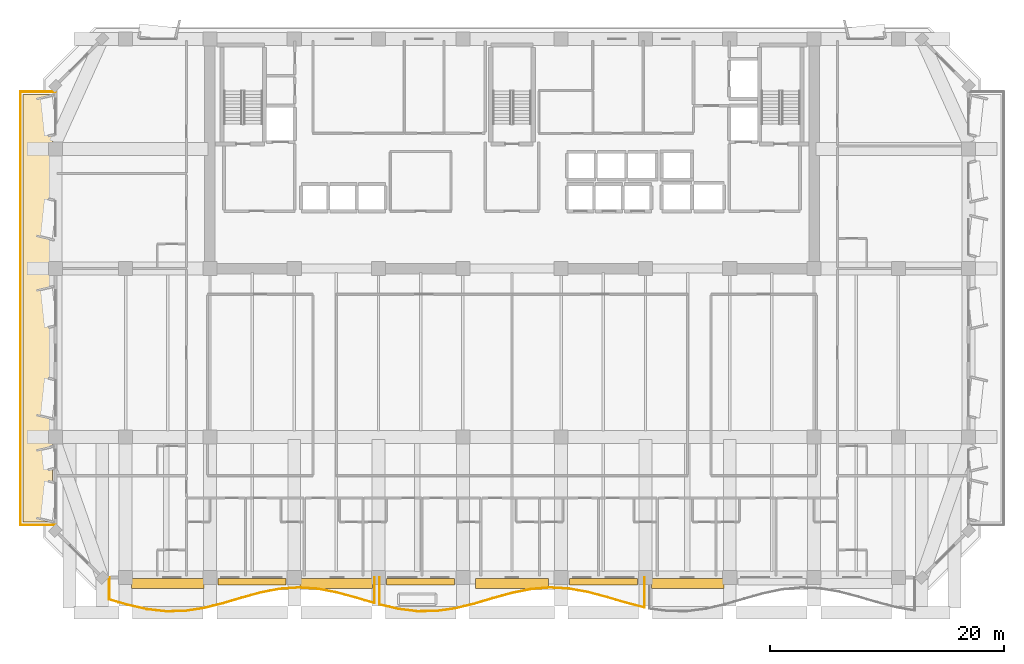
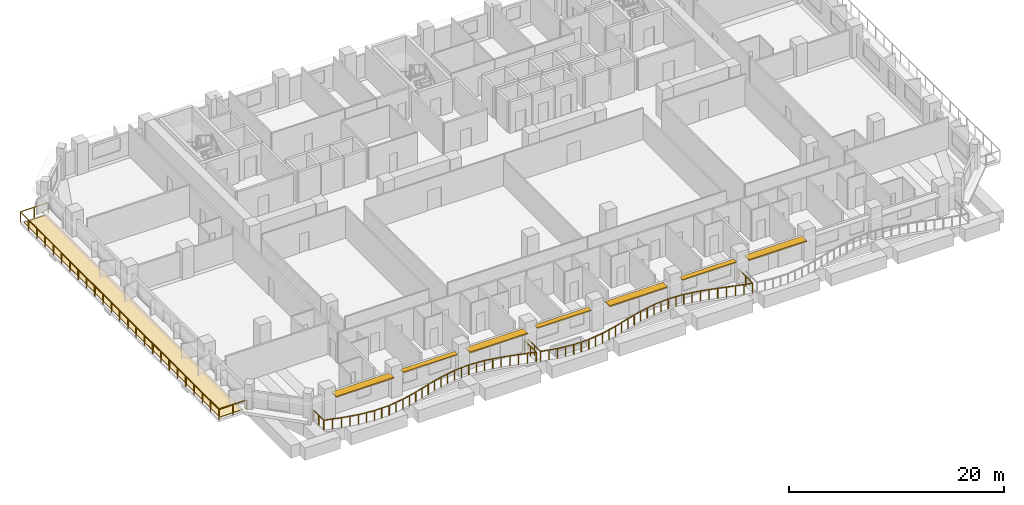
# One storey, part 12 of 16: 7 shading devices, 3 railings, 1 covering.
"""IFC4 building model written with IfcOpenShell, lengths in metres."""

from ifc_helpers import new_model, si_unit, direction, frame, origin, origin_2d, place, context, subcontext, project, spatial, polyline, rectangle, outline, extrude, material, layer, layer_set, type_object, element, save


model = new_model("IFC4")

# Units and contexts
model_context = context("Model", 3, precision=1e-05, world=origin(), true_north=direction((0.0, 1.0)))
body_context = subcontext(model_context, "Body", "Model", "MODEL_VIEW")
ifc_project = project(units=[si_unit("LENGTHUNIT", "METRE"), si_unit("AREAUNIT", "SQUARE_METRE"), si_unit("VOLUMEUNIT", "CUBIC_METRE"), si_unit("PLANEANGLEUNIT", "RADIAN"), si_unit("MASSUNIT", "GRAM", prefix="KILO")], contexts=[model_context])

# Site, building, storey
site_placement = place(None, origin())
site = spatial("IfcSite", under=ifc_project, at=site_placement, CompositionType="ELEMENT")
building_placement = place(site_placement, origin())
building = spatial("IfcBuilding", under=site, at=building_placement, Name="Kaelvorn Grand Hotel", CompositionType="ELEMENT")
storey_placement = place(building_placement, frame((0.0, 0.0, 135.35009765625)))
storey = spatial("IfcBuildingStorey", under=building, at=storey_placement, Name="L32", CompositionType="ELEMENT", Elevation=135.35009765625)

# Covering
ifc_material_1 = material(Name="Insulated Elastomeric Waterproofing Roof Membrane")
ifc_layer_1 = layer(ifc_material_1, 0.1201171875)
ifc_layer_set_1 = layer_set([ifc_layer_1], Name="Insulated Elastomeric Waterproofing Roof Membrane")
covering_type = type_object("IfcCoveringType", Name="COV-ROOF-MEMBRANE-120", PredefinedType="ROOFING", material=ifc_layer_set_1)
covering_placement = place(storey_placement, origin())
element("IfcCovering", 1, at=covering_placement, inside=storey, type_object=covering_type, Name="L32 Setback Terrace Waterproofing Membrane W", PredefinedType="ROOFING", context=body_context, shape_type="SweptSolid", body=[
    extrude(outline(polyline([(0.25, 7.75), (2.75, 7.75), (2.75, 44.25), (0.25, 44.25), (0.25, 7.75)])), origin(), (0.0, 0.0, 1.0), 0.059814453125),
])

# Railings
ifc_material_2 = material(Name="Stainless Steel", Category="steel")
railing_type_1 = type_object("IfcRailingType", Name="RL-BALC-1150", PredefinedType="BALUSTRADE", material=ifc_material_2)
railing_1_placement = place(storey_placement, frame((7.60009765625, 3.0, 0.0)))
element("IfcRailing", 2, at=railing_1_placement, inside=storey, type_object=railing_type_1, Name="L32 Scalloped Wave Balcony Balustrade GR1-1", PredefinedType="BALUSTRADE", context=body_context, shape_type="SweptSolid", body=[
    extrude(rectangle(XDim=0.048095703125, YDim=0.048095703125, at=origin_2d()), frame((0.0, 0.0, 1.1259765625), z_axis=(0.0, -1.0, 0.0), x_axis=(1.0, 0.0, 0.0)), (0.0, 0.0, 1.0), 1.875),
    extrude(rectangle(XDim=0.048095703125, YDim=0.048095703125, at=origin_2d()), frame((0.0, -1.875, 1.1259765625), z_axis=(0.961123652399, -0.276118316667, 0.0), x_axis=(0.276118316667, 0.961123652399, 0.0)), (0.0, 0.0, 1.0), 1.684326171875),
    extrude(rectangle(XDim=0.048095703125, YDim=0.048095703125, at=origin_2d()), frame((1.618896484375, -2.340087890625, 1.1259765625), z_axis=(0.975679021294, -0.219204122697, 0.0), x_axis=(0.219204122697, 0.975679021294, 0.0)), (0.0, 0.0, 1.0), 1.659423828125),
    extrude(rectangle(XDim=0.048095703125, YDim=0.048095703125, at=origin_2d()), frame((3.238037109375, -2.703857421875, 1.1259765625), z_axis=(0.993647594746, -0.112536471672, 0.0), x_axis=(0.112536471672, 0.993647594746, 0.0)), (0.0, 0.0, 1.0), 1.629150390625),
    extrude(rectangle(XDim=0.048095703125, YDim=0.048095703125, at=origin_2d()), frame((4.85693359375, -2.88720703125, 1.1259765625), z_axis=(0.999737459028, 0.022913162511, 0.0), x_axis=(-0.022913162511, 0.999737459028, 0.0)), (0.0, 0.0, 1.0), 1.61962890625),
    extrude(rectangle(XDim=0.048095703125, YDim=0.048095703125, at=origin_2d()), frame((6.47607421875, -2.85009765625, 1.1259765625), z_axis=(0.988356186669, 0.15215797144, 0.0), x_axis=(-0.15215797144, 0.988356186669, 0.0)), (0.0, 0.0, 1.0), 1.63818359375),
    extrude(rectangle(XDim=0.048095703125, YDim=0.048095703125, at=origin_2d()), frame((8.09521484375, -2.600830078125, 1.1259765625), z_axis=(0.969754143814, 0.244083798224, 0.0), x_axis=(-0.244083798224, 0.969754143814, 0.0)), (0.0, 0.0, 1.0), 1.66943359375),
    extrude(rectangle(XDim=0.048095703125, YDim=0.048095703125, at=origin_2d()), frame((9.714111328125, -2.193359375, 1.1259765625), z_axis=(0.959271015447, 0.282487378343, 0.0), x_axis=(-0.282487378343, 0.959271015447, 0.0)), (0.0, 0.0, 1.0), 1.68798828125),
    extrude(rectangle(XDim=0.048095703125, YDim=0.048095703125, at=origin_2d()), frame((11.333251953125, -1.716552734375, 1.1259765625), z_axis=(0.964679853883, 0.26342509279, 0.0), x_axis=(-0.26342509279, 0.964679853883, 0.0)), (0.0, 0.0, 1.0), 1.678466796875),
    extrude(rectangle(XDim=0.048095703125, YDim=0.048095703125, at=origin_2d()), frame((12.952392578125, -1.2744140625, 1.1259765625), z_axis=(0.981984258407, 0.188962737706, 0.0), x_axis=(-0.188962737706, 0.981984258407, 0.0)), (0.0, 0.0, 1.0), 1.648681640625),
    extrude(rectangle(XDim=0.048095703125, YDim=0.048095703125, at=origin_2d()), frame((14.5712890625, -0.962890625, 1.1259765625), z_axis=(0.997582381569, 0.069493826943, 0.0), x_axis=(-0.069493826943, 0.997582381569, 0.0)), (0.0, 0.0, 1.0), 1.623046875),
    extrude(rectangle(XDim=0.048095703125, YDim=0.048095703125, at=origin_2d()), frame((16.1904296875, -0.85009765625, 1.1259765625), z_axis=(0.997695050209, -0.067857105662, 0.0), x_axis=(0.067857105662, 0.997695050209, 0.0)), (0.0, 0.0, 1.0), 1.62255859375),
    extrude(rectangle(XDim=0.048095703125, YDim=0.048095703125, at=origin_2d()), frame((17.809326171875, -0.960205078125, 1.1259765625), z_axis=(0.98220870142, -0.187792616616, 0.0), x_axis=(0.187792616616, 0.98220870142, 0.0)), (0.0, 0.0, 1.0), 1.6484375),
    extrude(rectangle(XDim=0.048095703125, YDim=0.048095703125, at=origin_2d()), frame((19.428466796875, -1.269775390625, 1.1259765625), z_axis=(0.964827580551, -0.26288350996, 0.0), x_axis=(0.26288350996, 0.964827580551, 0.0)), (0.0, 0.0, 1.0), 1.67822265625),
    extrude(rectangle(XDim=0.048095703125, YDim=0.048095703125, at=origin_2d()), frame((21.047607421875, -1.7109375, 1.1259765625), z_axis=(0.95922025705, -0.282659686665, 0.0), x_axis=(0.282659686665, 0.95922025705, 0.0)), (0.0, 0.0, 1.0), 1.687744140625),
    extrude(rectangle(XDim=0.048095703125, YDim=0.048095703125, at=origin_2d()), frame((22.66650390625, -2.18798828125, 1.1259765625), z_axis=(0.0, 1.0, 0.0), x_axis=(-1.0, 0.0, 0.0)), (0.0, 0.0, 1.0), 2.18798828125),
    extrude(rectangle(XDim=0.0419921875, YDim=0.0419921875, at=origin_2d()), origin(), (0.0, 0.0, 1.0), 1.101806640625),
    extrude(rectangle(XDim=0.0419921875, YDim=0.0419921875, at=origin_2d()), frame((0.0, -0.9375, 0.0)), (0.0, 0.0, 1.0), 1.101806640625),
    extrude(rectangle(XDim=0.0419921875, YDim=0.0419921875, at=origin_2d()), frame((0.0, -1.875, 0.0)), (0.0, 0.0, 1.0), 1.101806640625),
    extrude(rectangle(XDim=0.0419921875, YDim=0.0419921875, at=origin_2d()), frame((0.8095703125, -2.107421875, 0.0)), (0.0, 0.0, 1.0), 1.101806640625),
    extrude(rectangle(XDim=0.0419921875, YDim=0.0419921875, at=origin_2d()), frame((1.618896484375, -2.340087890625, 0.0)), (0.0, 0.0, 1.0), 1.101806640625),
    extrude(rectangle(XDim=0.0419921875, YDim=0.0419921875, at=origin_2d()), frame((2.428466796875, -2.52197265625, 0.0)), (0.0, 0.0, 1.0), 1.101806640625),
    extrude(rectangle(XDim=0.0419921875, YDim=0.0419921875, at=origin_2d()), frame((3.238037109375, -2.703857421875, 0.0)), (0.0, 0.0, 1.0), 1.101806640625),
    extrude(rectangle(XDim=0.0419921875, YDim=0.0419921875, at=origin_2d()), frame((4.04736328125, -2.79541015625, 0.0)), (0.0, 0.0, 1.0), 1.101806640625),
    extrude(rectangle(XDim=0.0419921875, YDim=0.0419921875, at=origin_2d()), frame((4.85693359375, -2.88720703125, 0.0)), (0.0, 0.0, 1.0), 1.101806640625),
    extrude(rectangle(XDim=0.0419921875, YDim=0.0419921875, at=origin_2d()), frame((5.66650390625, -2.86865234375, 0.0)), (0.0, 0.0, 1.0), 1.101806640625),
    extrude(rectangle(XDim=0.0419921875, YDim=0.0419921875, at=origin_2d()), frame((6.47607421875, -2.85009765625, 0.0)), (0.0, 0.0, 1.0), 1.101806640625),
    extrude(rectangle(XDim=0.0419921875, YDim=0.0419921875, at=origin_2d()), frame((7.28564453125, -2.7255859375, 0.0)), (0.0, 0.0, 1.0), 1.101806640625),
    extrude(rectangle(XDim=0.0419921875, YDim=0.0419921875, at=origin_2d()), frame((8.09521484375, -2.600830078125, 0.0)), (0.0, 0.0, 1.0), 1.101806640625),
    extrude(rectangle(XDim=0.0419921875, YDim=0.0419921875, at=origin_2d()), frame((8.90478515625, -2.39697265625, 0.0)), (0.0, 0.0, 1.0), 1.101806640625),
    extrude(rectangle(XDim=0.0419921875, YDim=0.0419921875, at=origin_2d()), frame((9.714111328125, -2.193359375, 0.0)), (0.0, 0.0, 1.0), 1.101806640625),
    extrude(rectangle(XDim=0.0419921875, YDim=0.0419921875, at=origin_2d()), frame((10.523681640625, -1.955078125, 0.0)), (0.0, 0.0, 1.0), 1.101806640625),
    extrude(rectangle(XDim=0.0419921875, YDim=0.0419921875, at=origin_2d()), frame((11.333251953125, -1.716552734375, 0.0)), (0.0, 0.0, 1.0), 1.101806640625),
    extrude(rectangle(XDim=0.0419921875, YDim=0.0419921875, at=origin_2d()), frame((12.142822265625, -1.49560546875, 0.0)), (0.0, 0.0, 1.0), 1.101806640625),
    extrude(rectangle(XDim=0.0419921875, YDim=0.0419921875, at=origin_2d()), frame((12.952392578125, -1.2744140625, 0.0)), (0.0, 0.0, 1.0), 1.101806640625),
    extrude(rectangle(XDim=0.0419921875, YDim=0.0419921875, at=origin_2d()), frame((13.76171875, -1.11865234375, 0.0)), (0.0, 0.0, 1.0), 1.101806640625),
    extrude(rectangle(XDim=0.0419921875, YDim=0.0419921875, at=origin_2d()), frame((14.5712890625, -0.962890625, 0.0)), (0.0, 0.0, 1.0), 1.101806640625),
    extrude(rectangle(XDim=0.0419921875, YDim=0.0419921875, at=origin_2d()), frame((15.380859375, -0.906494140625, 0.0)), (0.0, 0.0, 1.0), 1.101806640625),
    extrude(rectangle(XDim=0.0419921875, YDim=0.0419921875, at=origin_2d()), frame((16.1904296875, -0.85009765625, 0.0)), (0.0, 0.0, 1.0), 1.101806640625),
    extrude(rectangle(XDim=0.0419921875, YDim=0.0419921875, at=origin_2d()), frame((17.0, -0.9052734375, 0.0)), (0.0, 0.0, 1.0), 1.101806640625),
    extrude(rectangle(XDim=0.0419921875, YDim=0.0419921875, at=origin_2d()), frame((17.809326171875, -0.960205078125, 0.0)), (0.0, 0.0, 1.0), 1.101806640625),
    extrude(rectangle(XDim=0.0419921875, YDim=0.0419921875, at=origin_2d()), frame((18.618896484375, -1.114990234375, 0.0)), (0.0, 0.0, 1.0), 1.101806640625),
    extrude(rectangle(XDim=0.0419921875, YDim=0.0419921875, at=origin_2d()), frame((19.428466796875, -1.269775390625, 0.0)), (0.0, 0.0, 1.0), 1.101806640625),
    extrude(rectangle(XDim=0.0419921875, YDim=0.0419921875, at=origin_2d()), frame((20.238037109375, -1.490234375, 0.0)), (0.0, 0.0, 1.0), 1.101806640625),
    extrude(rectangle(XDim=0.0419921875, YDim=0.0419921875, at=origin_2d()), frame((21.047607421875, -1.7109375, 0.0)), (0.0, 0.0, 1.0), 1.101806640625),
    extrude(rectangle(XDim=0.0419921875, YDim=0.0419921875, at=origin_2d()), frame((21.85693359375, -1.949462890625, 0.0)), (0.0, 0.0, 1.0), 1.101806640625),
    extrude(rectangle(XDim=0.0419921875, YDim=0.0419921875, at=origin_2d()), frame((22.66650390625, -2.18798828125, 0.0)), (0.0, 0.0, 1.0), 1.101806640625),
    extrude(rectangle(XDim=0.0419921875, YDim=0.0419921875, at=origin_2d()), frame((22.66650390625, -1.093994140625, 0.0)), (0.0, 0.0, 1.0), 1.101806640625),
    extrude(rectangle(XDim=0.0419921875, YDim=0.0419921875, at=origin_2d()), frame((22.66650390625, 0.0, 0.0)), (0.0, 0.0, 1.0), 1.101806640625),
])
railing_2_placement = place(storey_placement, frame((30.666748046875, 3.0, 0.0)))
element("IfcRailing", 3, at=railing_2_placement, inside=storey, type_object=railing_type_1, Name="L32 Scalloped Wave Balcony Balustrade GR1-2", PredefinedType="BALUSTRADE", context=body_context, shape_type="SweptSolid", body=[
    extrude(rectangle(XDim=0.048095703125, YDim=0.048095703125, at=origin_2d()), frame((0.0, 0.0, 1.1259765625), z_axis=(0.0, -1.0, 0.0), x_axis=(1.0, 0.0, 0.0)), (0.0, 0.0, 1.0), 2.299072265625),
    extrude(rectangle(XDim=0.048095703125, YDim=0.048095703125, at=origin_2d()), frame((0.0, -2.299072265625, 1.1259765625), z_axis=(0.97391374526, -0.226918524571, 0.0), x_axis=(0.226918524571, 0.97391374526, 0.0)), (0.0, 0.0, 1.0), 1.662353515625),
    extrude(rectangle(XDim=0.048095703125, YDim=0.048095703125, at=origin_2d()), frame((1.618896484375, -2.67626953125, 1.1259765625), z_axis=(0.992241004877, -0.124329353898, 0.0), x_axis=(0.124329353898, 0.992241004877, 0.0)), (0.0, 0.0, 1.0), 1.6318359375),
    extrude(rectangle(XDim=0.048095703125, YDim=0.048095703125, at=origin_2d()), frame((3.238037109375, -2.879150390625, 1.1259765625), z_axis=(0.999951974002, 0.009800494317, 0.0), x_axis=(-0.009800494317, 0.999951974002, 0.0)), (0.0, 0.0, 1.0), 1.619140625),
    extrude(rectangle(XDim=0.048095703125, YDim=0.048095703125, at=origin_2d()), frame((4.857177734375, -2.86328125, 1.1259765625), z_axis=(0.98995546446, 0.141379554342, 0.0), x_axis=(-0.141379554342, 0.98995546446, 0.0)), (0.0, 0.0, 1.0), 1.63525390625),
    extrude(rectangle(XDim=0.048095703125, YDim=0.048095703125, at=origin_2d()), frame((6.47607421875, -2.632080078125, 1.1259765625), z_axis=(0.971404261789, 0.237431590525, 0.0), x_axis=(-0.237431590525, 0.971404261789, 0.0)), (0.0, 0.0, 1.0), 1.666748046875),
    extrude(rectangle(XDim=0.048095703125, YDim=0.048095703125, at=origin_2d()), frame((8.09521484375, -2.236328125, 1.1259765625), z_axis=(0.959611705513, 0.281327877472, 0.0), x_axis=(-0.281327877472, 0.959611705513, 0.0)), (0.0, 0.0, 1.0), 1.68701171875),
    extrude(rectangle(XDim=0.048095703125, YDim=0.048095703125, at=origin_2d()), frame((9.714111328125, -1.76171875, 1.1259765625), z_axis=(0.963488764912, 0.267748762626, 0.0), x_axis=(-0.267748762626, 0.963488764912, 0.0)), (0.0, 0.0, 1.0), 1.680419921875),
    extrude(rectangle(XDim=0.048095703125, YDim=0.048095703125, at=origin_2d()), frame((11.333251953125, -1.311767578125, 1.1259765625), z_axis=(0.980192223975, 0.198048489163, 0.0), x_axis=(-0.198048489163, 0.980192223975, 0.0)), (0.0, 0.0, 1.0), 1.65185546875),
    extrude(rectangle(XDim=0.048095703125, YDim=0.048095703125, at=origin_2d()), frame((12.952392578125, -0.984619140625, 1.1259765625), z_axis=(0.996614857053, 0.082212083669, 0.0), x_axis=(-0.082212083669, 0.996614857053, 0.0)), (0.0, 0.0, 1.0), 1.62451171875),
    extrude(rectangle(XDim=0.048095703125, YDim=0.048095703125, at=origin_2d()), frame((14.5712890625, -0.85107421875, 1.1259765625), z_axis=(0.998472373967, -0.055253220936, 0.0), x_axis=(0.055253220936, 0.998472373967, 0.0)), (0.0, 0.0, 1.0), 1.62158203125),
    extrude(rectangle(XDim=0.048095703125, YDim=0.048095703125, at=origin_2d()), frame((16.1904296875, -0.940673828125, 1.1259765625), z_axis=(0.984016786226, -0.178075726658, 0.0), x_axis=(0.178075726658, 0.984016786226, 0.0)), (0.0, 0.0, 1.0), 1.645263671875),
    extrude(rectangle(XDim=0.048095703125, YDim=0.048095703125, at=origin_2d()), frame((17.809326171875, -1.233642578125, 1.1259765625), z_axis=(0.966109097748, -0.258134095478, 0.0), x_axis=(0.258134095478, 0.966109097748, 0.0)), (0.0, 0.0, 1.0), 1.676025390625),
    extrude(rectangle(XDim=0.048095703125, YDim=0.048095703125, at=origin_2d()), frame((19.428466796875, -1.666259765625, 1.1259765625), z_axis=(0.959074846834, -0.283152676433, 0.0), x_axis=(0.283152676433, 0.959074846834, 0.0)), (0.0, 0.0, 1.0), 1.688232421875),
    extrude(rectangle(XDim=0.048095703125, YDim=0.048095703125, at=origin_2d()), frame((21.047607421875, -2.144287109375, 1.1259765625), z_axis=(0.968037604071, -0.250805097843, 0.0), x_axis=(0.250805097843, 0.968037604071, 0.0)), (0.0, 0.0, 1.0), 1.67236328125),
    extrude(rectangle(XDim=0.048095703125, YDim=0.048095703125, at=origin_2d()), frame((22.66650390625, -2.563720703125, 1.1259765625), z_axis=(0.0, 1.0, 0.0), x_axis=(-1.0, 0.0, 0.0)), (0.0, 0.0, 1.0), 2.563720703125),
    extrude(rectangle(XDim=0.0419921875, YDim=0.0419921875, at=origin_2d()), origin(), (0.0, 0.0, 1.0), 1.101806640625),
    extrude(rectangle(XDim=0.0419921875, YDim=0.0419921875, at=origin_2d()), frame((0.0, -1.1494140625, 0.0)), (0.0, 0.0, 1.0), 1.101806640625),
    extrude(rectangle(XDim=0.0419921875, YDim=0.0419921875, at=origin_2d()), frame((0.0, -2.299072265625, 0.0)), (0.0, 0.0, 1.0), 1.101806640625),
    extrude(rectangle(XDim=0.0419921875, YDim=0.0419921875, at=origin_2d()), frame((0.8095703125, -2.48779296875, 0.0)), (0.0, 0.0, 1.0), 1.101806640625),
    extrude(rectangle(XDim=0.0419921875, YDim=0.0419921875, at=origin_2d()), frame((1.618896484375, -2.67626953125, 0.0)), (0.0, 0.0, 1.0), 1.101806640625),
    extrude(rectangle(XDim=0.0419921875, YDim=0.0419921875, at=origin_2d()), frame((2.428466796875, -2.77783203125, 0.0)), (0.0, 0.0, 1.0), 1.101806640625),
    extrude(rectangle(XDim=0.0419921875, YDim=0.0419921875, at=origin_2d()), frame((3.238037109375, -2.879150390625, 0.0)), (0.0, 0.0, 1.0), 1.101806640625),
    extrude(rectangle(XDim=0.0419921875, YDim=0.0419921875, at=origin_2d()), frame((4.047607421875, -2.87109375, 0.0)), (0.0, 0.0, 1.0), 1.101806640625),
    extrude(rectangle(XDim=0.0419921875, YDim=0.0419921875, at=origin_2d()), frame((4.857177734375, -2.86328125, 0.0)), (0.0, 0.0, 1.0), 1.101806640625),
    extrude(rectangle(XDim=0.0419921875, YDim=0.0419921875, at=origin_2d()), frame((5.66650390625, -2.74755859375, 0.0)), (0.0, 0.0, 1.0), 1.101806640625),
    extrude(rectangle(XDim=0.0419921875, YDim=0.0419921875, at=origin_2d()), frame((6.47607421875, -2.632080078125, 0.0)), (0.0, 0.0, 1.0), 1.101806640625),
    extrude(rectangle(XDim=0.0419921875, YDim=0.0419921875, at=origin_2d()), frame((7.28564453125, -2.43408203125, 0.0)), (0.0, 0.0, 1.0), 1.101806640625),
    extrude(rectangle(XDim=0.0419921875, YDim=0.0419921875, at=origin_2d()), frame((8.09521484375, -2.236328125, 0.0)), (0.0, 0.0, 1.0), 1.101806640625),
    extrude(rectangle(XDim=0.0419921875, YDim=0.0419921875, at=origin_2d()), frame((8.90478515625, -1.9990234375, 0.0)), (0.0, 0.0, 1.0), 1.101806640625),
    extrude(rectangle(XDim=0.0419921875, YDim=0.0419921875, at=origin_2d()), frame((9.714111328125, -1.76171875, 0.0)), (0.0, 0.0, 1.0), 1.101806640625),
    extrude(rectangle(XDim=0.0419921875, YDim=0.0419921875, at=origin_2d()), frame((10.523681640625, -1.53662109375, 0.0)), (0.0, 0.0, 1.0), 1.101806640625),
    extrude(rectangle(XDim=0.0419921875, YDim=0.0419921875, at=origin_2d()), frame((11.333251953125, -1.311767578125, 0.0)), (0.0, 0.0, 1.0), 1.101806640625),
    extrude(rectangle(XDim=0.0419921875, YDim=0.0419921875, at=origin_2d()), frame((12.142822265625, -1.148193359375, 0.0)), (0.0, 0.0, 1.0), 1.101806640625),
    extrude(rectangle(XDim=0.0419921875, YDim=0.0419921875, at=origin_2d()), frame((12.952392578125, -0.984619140625, 0.0)), (0.0, 0.0, 1.0), 1.101806640625),
    extrude(rectangle(XDim=0.0419921875, YDim=0.0419921875, at=origin_2d()), frame((13.76171875, -0.91796875, 0.0)), (0.0, 0.0, 1.0), 1.101806640625),
    extrude(rectangle(XDim=0.0419921875, YDim=0.0419921875, at=origin_2d()), frame((14.5712890625, -0.85107421875, 0.0)), (0.0, 0.0, 1.0), 1.101806640625),
    extrude(rectangle(XDim=0.0419921875, YDim=0.0419921875, at=origin_2d()), frame((15.380859375, -0.89599609375, 0.0)), (0.0, 0.0, 1.0), 1.101806640625),
    extrude(rectangle(XDim=0.0419921875, YDim=0.0419921875, at=origin_2d()), frame((16.1904296875, -0.940673828125, 0.0)), (0.0, 0.0, 1.0), 1.101806640625),
    extrude(rectangle(XDim=0.0419921875, YDim=0.0419921875, at=origin_2d()), frame((17.0, -1.087158203125, 0.0)), (0.0, 0.0, 1.0), 1.101806640625),
    extrude(rectangle(XDim=0.0419921875, YDim=0.0419921875, at=origin_2d()), frame((17.809326171875, -1.233642578125, 0.0)), (0.0, 0.0, 1.0), 1.101806640625),
    extrude(rectangle(XDim=0.0419921875, YDim=0.0419921875, at=origin_2d()), frame((18.618896484375, -1.449951171875, 0.0)), (0.0, 0.0, 1.0), 1.101806640625),
    extrude(rectangle(XDim=0.0419921875, YDim=0.0419921875, at=origin_2d()), frame((19.428466796875, -1.666259765625, 0.0)), (0.0, 0.0, 1.0), 1.101806640625),
    extrude(rectangle(XDim=0.0419921875, YDim=0.0419921875, at=origin_2d()), frame((20.238037109375, -1.9052734375, 0.0)), (0.0, 0.0, 1.0), 1.101806640625),
    extrude(rectangle(XDim=0.0419921875, YDim=0.0419921875, at=origin_2d()), frame((21.047607421875, -2.144287109375, 0.0)), (0.0, 0.0, 1.0), 1.101806640625),
    extrude(rectangle(XDim=0.0419921875, YDim=0.0419921875, at=origin_2d()), frame((21.85693359375, -2.35400390625, 0.0)), (0.0, 0.0, 1.0), 1.101806640625),
    extrude(rectangle(XDim=0.0419921875, YDim=0.0419921875, at=origin_2d()), frame((22.66650390625, -2.563720703125, 0.0)), (0.0, 0.0, 1.0), 1.101806640625),
    extrude(rectangle(XDim=0.0419921875, YDim=0.0419921875, at=origin_2d()), frame((22.66650390625, -1.28173828125, 0.0)), (0.0, 0.0, 1.0), 1.101806640625),
    extrude(rectangle(XDim=0.0419921875, YDim=0.0419921875, at=origin_2d()), frame((22.66650390625, 0.0, 0.0)), (0.0, 0.0, 1.0), 1.101806640625),
])
railing_type_2 = type_object("IfcRailingType", Name="RL-OBS-1200", PredefinedType="BALUSTRADE", material=ifc_material_2)
railing_3_placement = place(storey_placement, frame((3.0, 7.5, 0.0)))
element("IfcRailing", 4, at=railing_3_placement, inside=storey, type_object=railing_type_2, Name="L32 Setback Sky Terrace Balustrade W", PredefinedType="BALUSTRADE", context=body_context, shape_type="SweptSolid", body=[
    extrude(rectangle(XDim=0.048095703125, YDim=0.048095703125, at=origin_2d()), frame((0.0, 0.0, 1.17578125), z_axis=(-1.0, 0.0, 0.0), x_axis=(0.0, -1.0, 0.0)), (0.0, 0.0, 1.0), 3.0),
    extrude(rectangle(XDim=0.048095703125, YDim=0.048095703125, at=origin_2d()), frame((-3.0, 0.0, 1.17578125), z_axis=(0.0, 1.0, 0.0), x_axis=(-1.0, 0.0, 0.0)), (0.0, 0.0, 1.0), 37.0),
    extrude(rectangle(XDim=0.048095703125, YDim=0.048095703125, at=origin_2d()), frame((-3.0, 37.0, 1.17578125), z_axis=(1.0, 0.0, 0.0), x_axis=(0.0, 1.0, 0.0)), (0.0, 0.0, 1.0), 3.0),
    extrude(rectangle(XDim=0.0419921875, YDim=0.0419921875, at=origin_2d()), origin(), (0.0, 0.0, 1.0), 1.15185546875),
    extrude(rectangle(XDim=0.0419921875, YDim=0.0419921875, at=origin_2d()), frame((-1.5, 0.0, 0.0)), (0.0, 0.0, 1.0), 1.15185546875),
    extrude(rectangle(XDim=0.0419921875, YDim=0.0419921875, at=origin_2d()), frame((-3.0, 0.0, 0.0)), (0.0, 0.0, 1.0), 1.15185546875),
    extrude(rectangle(XDim=0.0419921875, YDim=0.0419921875, at=origin_2d()), frame((-3.0, 1.541748046875, 0.0)), (0.0, 0.0, 1.0), 1.15185546875),
    extrude(rectangle(XDim=0.0419921875, YDim=0.0419921875, at=origin_2d()), frame((-3.0, 3.083251953125, 0.0)), (0.0, 0.0, 1.0), 1.15185546875),
    extrude(rectangle(XDim=0.0419921875, YDim=0.0419921875, at=origin_2d()), frame((-3.0, 4.625, 0.0)), (0.0, 0.0, 1.0), 1.15185546875),
    extrude(rectangle(XDim=0.0419921875, YDim=0.0419921875, at=origin_2d()), frame((-3.0, 6.166748046875, 0.0)), (0.0, 0.0, 1.0), 1.15185546875),
    extrude(rectangle(XDim=0.0419921875, YDim=0.0419921875, at=origin_2d()), frame((-3.0, 7.708251953125, 0.0)), (0.0, 0.0, 1.0), 1.15185546875),
    extrude(rectangle(XDim=0.0419921875, YDim=0.0419921875, at=origin_2d()), frame((-3.0, 9.25, 0.0)), (0.0, 0.0, 1.0), 1.15185546875),
    extrude(rectangle(XDim=0.0419921875, YDim=0.0419921875, at=origin_2d()), frame((-3.0, 10.791748046875, 0.0)), (0.0, 0.0, 1.0), 1.15185546875),
    extrude(rectangle(XDim=0.0419921875, YDim=0.0419921875, at=origin_2d()), frame((-3.0, 12.333251953125, 0.0)), (0.0, 0.0, 1.0), 1.15185546875),
    extrude(rectangle(XDim=0.0419921875, YDim=0.0419921875, at=origin_2d()), frame((-3.0, 13.875, 0.0)), (0.0, 0.0, 1.0), 1.15185546875),
    extrude(rectangle(XDim=0.0419921875, YDim=0.0419921875, at=origin_2d()), frame((-3.0, 15.416748046875, 0.0)), (0.0, 0.0, 1.0), 1.15185546875),
    extrude(rectangle(XDim=0.0419921875, YDim=0.0419921875, at=origin_2d()), frame((-3.0, 16.958251953125, 0.0)), (0.0, 0.0, 1.0), 1.15185546875),
    extrude(rectangle(XDim=0.0419921875, YDim=0.0419921875, at=origin_2d()), frame((-3.0, 18.5, 0.0)), (0.0, 0.0, 1.0), 1.15185546875),
    extrude(rectangle(XDim=0.0419921875, YDim=0.0419921875, at=origin_2d()), frame((-3.0, 20.041748046875, 0.0)), (0.0, 0.0, 1.0), 1.15185546875),
    extrude(rectangle(XDim=0.0419921875, YDim=0.0419921875, at=origin_2d()), frame((-3.0, 21.583251953125, 0.0)), (0.0, 0.0, 1.0), 1.15185546875),
    extrude(rectangle(XDim=0.0419921875, YDim=0.0419921875, at=origin_2d()), frame((-3.0, 23.125, 0.0)), (0.0, 0.0, 1.0), 1.15185546875),
    extrude(rectangle(XDim=0.0419921875, YDim=0.0419921875, at=origin_2d()), frame((-3.0, 24.666748046875, 0.0)), (0.0, 0.0, 1.0), 1.15185546875),
    extrude(rectangle(XDim=0.0419921875, YDim=0.0419921875, at=origin_2d()), frame((-3.0, 26.208251953125, 0.0)), (0.0, 0.0, 1.0), 1.15185546875),
    extrude(rectangle(XDim=0.0419921875, YDim=0.0419921875, at=origin_2d()), frame((-3.0, 27.75, 0.0)), (0.0, 0.0, 1.0), 1.15185546875),
    extrude(rectangle(XDim=0.0419921875, YDim=0.0419921875, at=origin_2d()), frame((-3.0, 29.291748046875, 0.0)), (0.0, 0.0, 1.0), 1.15185546875),
    extrude(rectangle(XDim=0.0419921875, YDim=0.0419921875, at=origin_2d()), frame((-3.0, 30.833251953125, 0.0)), (0.0, 0.0, 1.0), 1.15185546875),
    extrude(rectangle(XDim=0.0419921875, YDim=0.0419921875, at=origin_2d()), frame((-3.0, 32.375, 0.0)), (0.0, 0.0, 1.0), 1.15185546875),
    extrude(rectangle(XDim=0.0419921875, YDim=0.0419921875, at=origin_2d()), frame((-3.0, 33.916748046875, 0.0)), (0.0, 0.0, 1.0), 1.15185546875),
    extrude(rectangle(XDim=0.0419921875, YDim=0.0419921875, at=origin_2d()), frame((-3.0, 35.458251953125, 0.0)), (0.0, 0.0, 1.0), 1.15185546875),
    extrude(rectangle(XDim=0.0419921875, YDim=0.0419921875, at=origin_2d()), frame((-3.0, 37.0, 0.0)), (0.0, 0.0, 1.0), 1.15185546875),
    extrude(rectangle(XDim=0.0419921875, YDim=0.0419921875, at=origin_2d()), frame((-1.5, 37.0, 0.0)), (0.0, 0.0, 1.0), 1.15185546875),
    extrude(rectangle(XDim=0.0419921875, YDim=0.0419921875, at=origin_2d()), frame((0.0, 37.0, 0.0)), (0.0, 0.0, 1.0), 1.15185546875),
])

# Shading devices
ifc_material_3 = material(Name="Precast concrete C45/55", Category="concrete")
ifc_layer_2 = layer(ifc_material_3, 0.1201171875)
ifc_layer_set_2 = layer_set([ifc_layer_2], Name="Precast concrete C45/55")
shading_device_type_1 = type_object("IfcShadingDeviceType", Name="SHD-SUNSHADE-550", PredefinedType="USERDEFINED", material=ifc_layer_set_2)
for number, where, z_axis, x_axis, name in (
    (5, (19.800048828125, 2.64501953125, 2.4697265625), (0.0, 0.0, 1.0), (1.0, 0.0, 0.0), "L32 Horizontal Concrete Sunshade Band SS-03"),
    (6, (34.199951171875, 2.64501953125, 2.4697265625), (0.0, 0.0, 1.0), (1.0, 0.0, 0.0), "L32 Horizontal Concrete Sunshade Band SS-05"),
    (7, (49.800048828125, 2.64501953125, 2.4697265625), (0.0, 0.0, 1.0), (1.0, 0.0, 0.0), "L32 Horizontal Concrete Sunshade Band SS-07"),
):
    element("IfcShadingDevice", number, at=place(storey_placement, frame(where, z_axis=z_axis, x_axis=x_axis)), inside=storey, type_object=shading_device_type_1, Name=name, ObjectType="SUNSHADE", PredefinedType="USERDEFINED", context=body_context, shape_type="SweptSolid", body=[
        extrude(rectangle(XDim=5.800048828125, YDim=0.550048828125, at=origin_2d()), origin(), (0.0, 0.0, 1.0), 0.1201171875),
    ])
ifc_layer_3 = layer(ifc_material_3, 0.139892578125)
ifc_layer_set_3 = layer_set([ifc_layer_3], Name="Precast concrete C45/55")
shading_device_type_2 = type_object("IfcShadingDeviceType", Name="SHD-SUNSHADE-850", PredefinedType="USERDEFINED", material=ifc_layer_set_3)
for number, where, z_axis, x_axis, name in (
    (8, (12.60009765625, 2.4951171875, 2.4599609375), (0.0, 0.0, 1.0), (1.0, 0.0, 0.0), "L32 Horizontal Concrete Sunshade Band SS-02"),
    (9, (27.0, 2.4951171875, 2.4599609375), (0.0, 0.0, 1.0), (1.0, 0.0, 0.0), "L32 Horizontal Concrete Sunshade Band SS-04"),
    (10, (42.0, 2.4951171875, 2.4599609375), (0.0, 0.0, 1.0), (1.0, 0.0, 0.0), "L32 Horizontal Concrete Sunshade Band SS-06"),
    (11, (57.0, 2.4951171875, 2.4599609375), (0.0, 0.0, 1.0), (1.0, 0.0, 0.0), "L32 Horizontal Concrete Sunshade Band SS-08"),
):
    element("IfcShadingDevice", number, at=place(storey_placement, frame(where, z_axis=z_axis, x_axis=x_axis)), inside=storey, type_object=shading_device_type_2, Name=name, ObjectType="SUNSHADE", PredefinedType="USERDEFINED", context=body_context, shape_type="SweptSolid", body=[
        extrude(rectangle(XDim=6.199951171875, YDim=0.85009765625, at=origin_2d()), origin(), (0.0, 0.0, 1.0), 0.139892578125),
    ])

save(model, "model.ifc")
